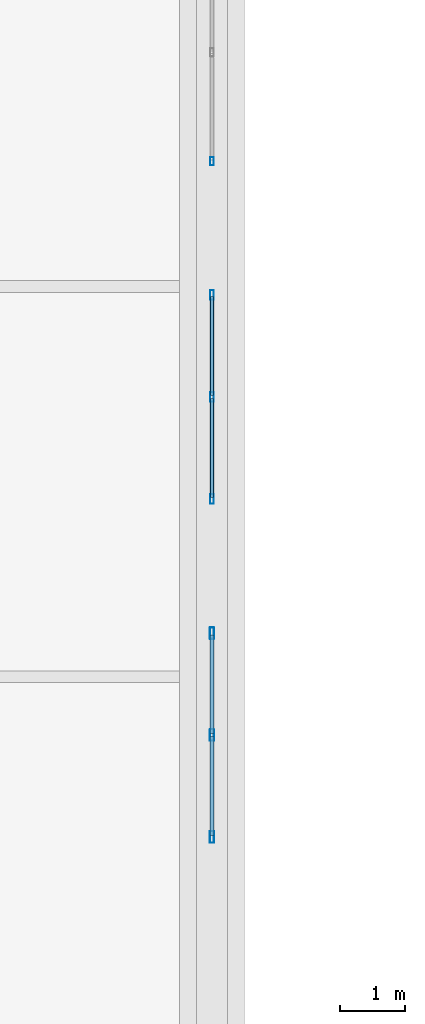
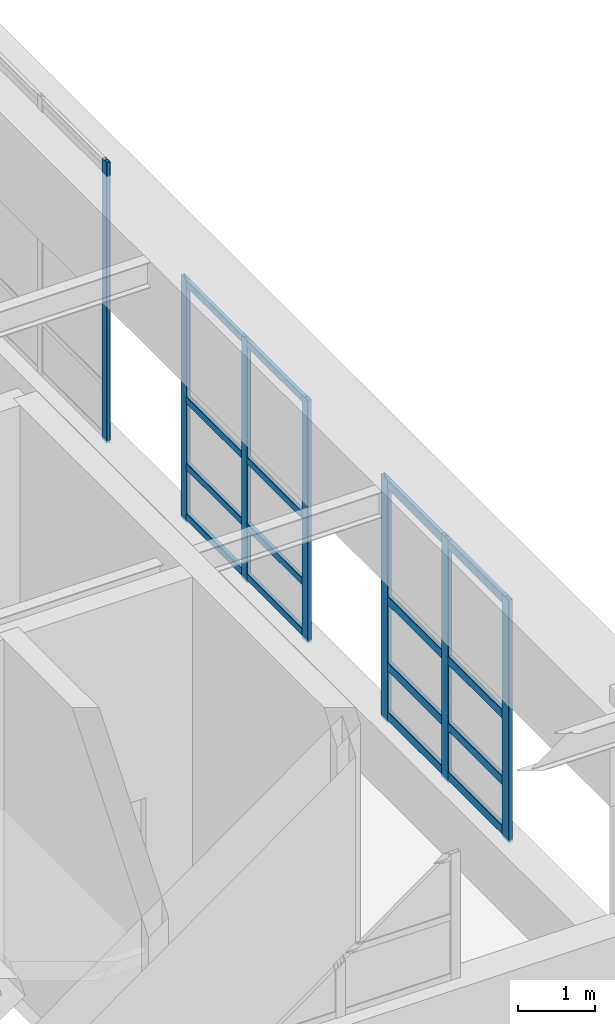
# One storey, part 39 of 197: 23 members, 3 elements without a shape of their own.
"""IFC4 building model written with IfcOpenShell, lengths in metres."""

from ifc_helpers import new_model, si_unit, derived_unit, direction, frame, origin, origin_2d, place, context, subcontext, project, spatial, hollow_rectangle, extrude, material, layer, layer_set, material_profile, profile_set, type_object, element, aggregate, save


model = new_model("IFC4")

# Units and contexts
model_context = context("Model", 3, precision=1e-05, world=origin(), true_north=direction((0.0, 1.0)))
body_context = subcontext(model_context, "Body", "Model", "MODEL_VIEW")
ifc_project = project(units=[si_unit("LENGTHUNIT", "METRE"), si_unit("AREAUNIT", "SQUARE_METRE"), si_unit("VOLUMEUNIT", "CUBIC_METRE"), si_unit("PLANEANGLEUNIT", "RADIAN"), si_unit("MASSUNIT", "GRAM", prefix="KILO"), derived_unit("THERMALTRANSMITTANCEUNIT", [(si_unit("POWERUNIT", "WATT"), 1), (si_unit("LENGTHUNIT", "METRE"), -2), (si_unit("THERMODYNAMICTEMPERATUREUNIT", "KELVIN"), -1)])], contexts=[model_context])

# Site, building, storey
site_placement = place(None, origin())
site = spatial("IfcSite", under=ifc_project, at=site_placement, CompositionType="ELEMENT")
building_placement = place(site_placement, origin())
building = spatial("IfcBuilding", under=site, at=building_placement, Name="Almenara Railside Exhibition Hall", CompositionType="ELEMENT")
storey_placement = place(building_placement, frame((0.0, 0.0, 5.39990234375)))
storey = spatial("IfcBuildingStorey", under=building, at=storey_placement, Name="L01", CompositionType="ELEMENT", Elevation=5.39990234375)

# Curtain wall, member
ifc_material_1 = material(Name="Bronze-anodised aluminium and low-E double glazing", Category="aluminium")
ifc_layer_1 = layer(ifc_material_1, 0.179931640625, Name="Bronze-anodised aluminium and low-E double glazing")
ifc_layer_set_1 = layer_set([ifc_layer_1], Name="Bronze-anodised aluminium and low-E double glazing")
curtain_wall_type_1 = type_object("IfcCurtainWallType", Name="Scroll Gable Mid Curtain Wall 3400x4400", PredefinedType="NOTDEFINED", material=ifc_layer_set_1)
curtain_wall_1_placement = place(storey_placement, origin())
curtain_wall_1 = element("IfcCurtainWall", 1, at=curtain_wall_1_placement, inside=storey, type_object=curtain_wall_type_1, Name="Curtain wall CW-G3-115", PredefinedType="NOTDEFINED")
ifc_material_2 = material(Name="Bronze-anodised aluminium", Category="aluminium")
ifc_material_profile_1 = material_profile(ifc_material_2, hollow_rectangle(XDim=0.054931640625, YDim=0.125, WallThickness=0.0029296875, InnerFilletRadius=0.0029296875, OuterFilletRadius=0.006103515625, at=origin_2d()), Name="ALU-MUL 55x125x3")
ifc_profile_set_1 = profile_set([ifc_material_profile_1], Name="Bronze-anodised aluminium")
member_type_1 = type_object("IfcMemberType", Name="Curtain Wall Mullion 55x125x3", PredefinedType="MULLION", material=ifc_profile_set_1)
member_1_placement = place(storey_placement, frame((66.0, 13.927490234375, 0.9150390625), z_axis=(0.0, 0.0, 1.0), x_axis=(-1.0, 0.0, 0.0)))
member_1 = element("IfcMember", 2, at=member_1_placement, type_object=member_type_1, Name="CW-G3-115 mullion 1", PredefinedType="MULLION", context=body_context, shape_type="SweptSolid", body=[
    extrude(hollow_rectangle(XDim=0.054931640625, YDim=0.125, WallThickness=0.0029296875, InnerFilletRadius=0.0029296875, OuterFilletRadius=0.006103515625, at=origin_2d()), origin(), (0.0, 0.0, 1.0), 4.43505859375),
])
aggregate(curtain_wall_1, [member_1])

# Curtain wall, members
ifc_layer_2 = layer(ifc_material_1, 0.179931640625, Name="Bronze-anodised aluminium and low-E double glazing")
ifc_layer_set_2 = layer_set([ifc_layer_2], Name="Bronze-anodised aluminium and low-E double glazing")
curtain_wall_type_2 = type_object("IfcCurtainWallType", Name="Scroll Gable Side Curtain Wall 3200x3800", PredefinedType="NOTDEFINED", material=ifc_layer_set_2)
curtain_wall_2_placement = place(storey_placement, origin())
curtain_wall_2 = element("IfcCurtainWall", 3, at=curtain_wall_2_placement, inside=storey, type_object=curtain_wall_type_2, Name="Curtain wall CW-G4-114", PredefinedType="NOTDEFINED")
ifc_material_profile_2 = material_profile(ifc_material_2, hollow_rectangle(XDim=0.06005859375, YDim=0.14990234375, WallThickness=0.00341796875, InnerFilletRadius=0.00341796875, OuterFilletRadius=0.007080078125, at=origin_2d()), Name="ALU-MUL 60x150x3.5")
ifc_profile_set_2 = profile_set([ifc_material_profile_2], Name="Bronze-anodised aluminium")
member_type_2 = type_object("IfcMemberType", Name="Curtain Wall Mullion 60x150x3.5", PredefinedType="MULLION", material=ifc_profile_set_2)
member_2_placement = place(storey_placement, frame((66.0, 8.72998046875, 0.9150390625), z_axis=(0.0, 0.0, 1.0), x_axis=(-1.0, 0.0, 0.0)))
member_2 = element("IfcMember", 4, at=member_2_placement, type_object=member_type_2, Name="CW-G4-114 mullion 1", PredefinedType="MULLION", context=body_context, shape_type="SweptSolid", body=[
    extrude(hollow_rectangle(XDim=0.06005859375, YDim=0.14990234375, WallThickness=0.00341796875, InnerFilletRadius=0.00341796875, OuterFilletRadius=0.007080078125, at=origin_2d()), origin(), (0.0, 0.0, 1.0), 3.8349609375),
])
member_3_placement = place(storey_placement, frame((66.0, 10.300048828125, 0.9150390625), z_axis=(0.0, 0.0, 1.0), x_axis=(-1.0, 0.0, 0.0)))
member_3 = element("IfcMember", 5, at=member_3_placement, type_object=member_type_2, Name="CW-G4-114 mullion 2", PredefinedType="MULLION", context=body_context, shape_type="SweptSolid", body=[
    extrude(hollow_rectangle(XDim=0.06005859375, YDim=0.14990234375, WallThickness=0.00341796875, InnerFilletRadius=0.00341796875, OuterFilletRadius=0.007080078125, at=origin_2d()), origin(), (0.0, 0.0, 1.0), 3.8349609375),
])
member_4_placement = place(storey_placement, frame((66.0, 11.8701171875, 0.9150390625), z_axis=(0.0, 0.0, 1.0), x_axis=(-1.0, 0.0, 0.0)))
member_4 = element("IfcMember", 6, at=member_4_placement, type_object=member_type_2, Name="CW-G4-114 mullion 3", PredefinedType="MULLION", context=body_context, shape_type="SweptSolid", body=[
    extrude(hollow_rectangle(XDim=0.06005859375, YDim=0.14990234375, WallThickness=0.00341796875, InnerFilletRadius=0.00341796875, OuterFilletRadius=0.007080078125, at=origin_2d()), origin(), (0.0, 0.0, 1.0), 3.8349609375),
])

curtain_wall_3_placement = place(storey_placement, origin())
curtain_wall_3 = element("IfcCurtainWall", 7, at=curtain_wall_3_placement, inside=storey, type_object=curtain_wall_type_2, Name="Curtain wall CW-G4-113", PredefinedType="NOTDEFINED")
ifc_material_profile_3 = material_profile(ifc_material_2, hollow_rectangle(XDim=0.06494140625, YDim=0.179931640625, WallThickness=0.00390625, InnerFilletRadius=0.00390625, OuterFilletRadius=0.008056640625, at=origin_2d()), Name="ALU-MUL 65x180x4")
ifc_profile_set_3 = profile_set([ifc_material_profile_3], Name="Bronze-anodised aluminium")
member_type_3 = type_object("IfcMemberType", Name="Curtain Wall Mullion 65x180x4", PredefinedType="MULLION", material=ifc_profile_set_3)
member_5_placement = place(storey_placement, frame((66.0, 3.532470703125, 0.9150390625), z_axis=(0.0, 0.0, 1.0), x_axis=(-1.0, 0.0, 0.0)))
member_5 = element("IfcMember", 8, at=member_5_placement, type_object=member_type_3, Name="CW-G4-113 mullion 1", PredefinedType="MULLION", context=body_context, shape_type="SweptSolid", body=[
    extrude(hollow_rectangle(XDim=0.06494140625, YDim=0.179931640625, WallThickness=0.00390625, InnerFilletRadius=0.00390625, OuterFilletRadius=0.008056640625, at=origin_2d()), origin(), (0.0, 0.0, 1.0), 3.8349609375),
])
member_6_placement = place(storey_placement, frame((66.0, 5.10009765625, 0.9150390625), z_axis=(0.0, 0.0, 1.0), x_axis=(-1.0, 0.0, 0.0)))
member_6 = element("IfcMember", 9, at=member_6_placement, type_object=member_type_3, Name="CW-G4-113 mullion 2", PredefinedType="MULLION", context=body_context, shape_type="SweptSolid", body=[
    extrude(hollow_rectangle(XDim=0.06494140625, YDim=0.179931640625, WallThickness=0.00390625, InnerFilletRadius=0.00390625, OuterFilletRadius=0.008056640625, at=origin_2d()), origin(), (0.0, 0.0, 1.0), 3.8349609375),
])
member_7_placement = place(storey_placement, frame((66.0, 6.66748046875, 0.9150390625), z_axis=(0.0, 0.0, 1.0), x_axis=(-1.0, 0.0, 0.0)))
member_7 = element("IfcMember", 10, at=member_7_placement, type_object=member_type_3, Name="CW-G4-113 mullion 3", PredefinedType="MULLION", context=body_context, shape_type="SweptSolid", body=[
    extrude(hollow_rectangle(XDim=0.06494140625, YDim=0.179931640625, WallThickness=0.00390625, InnerFilletRadius=0.00390625, OuterFilletRadius=0.008056640625, at=origin_2d()), origin(), (0.0, 0.0, 1.0), 3.8349609375),
])

# Member
ifc_material_profile_4 = material_profile(ifc_material_2, hollow_rectangle(XDim=0.06005859375, YDim=0.110107421875, WallThickness=0.0029296875, InnerFilletRadius=0.0029296875, OuterFilletRadius=0.006103515625, at=origin_2d()), Name="ALU-TRN 60x110x3")
ifc_profile_set_4 = profile_set([ifc_material_profile_4], Name="Bronze-anodised aluminium")
member_type_4 = type_object("IfcMemberType", Name="Curtain Wall Transom 60x110x3", PredefinedType="USERDEFINED", material=ifc_profile_set_4)
member_8_placement = place(storey_placement, frame((66.0, 8.751953125, 1.005126953125), z_axis=(0.0, 1.0, 0.0), x_axis=(-1.0, 0.0, 0.0)))
member_8 = element("IfcMember", 11, at=member_8_placement, type_object=member_type_4, Name="CW-G4-114 transom 1.1", ObjectType="TRANSOM", PredefinedType="USERDEFINED", context=body_context, shape_type="SweptSolid", body=[
    extrude(hollow_rectangle(XDim=0.06005859375, YDim=0.110107421875, WallThickness=0.0029296875, InnerFilletRadius=0.0029296875, OuterFilletRadius=0.006103515625, at=origin_2d()), origin(), (0.0, 0.0, 1.0), 1.526123046875),
])

member_9_placement = place(storey_placement, frame((66.0, 8.751953125, 1.800048828125), z_axis=(0.0, 1.0, 0.0), x_axis=(-1.0, 0.0, 0.0)))
member_9 = element("IfcMember", 12, at=member_9_placement, type_object=member_type_4, Name="CW-G4-114 transom 1.2", ObjectType="TRANSOM", PredefinedType="USERDEFINED", context=body_context, shape_type="SweptSolid", body=[
    extrude(hollow_rectangle(XDim=0.06005859375, YDim=0.110107421875, WallThickness=0.0029296875, InnerFilletRadius=0.0029296875, OuterFilletRadius=0.006103515625, at=origin_2d()), origin(), (0.0, 0.0, 1.0), 1.526123046875),
])

member_10_placement = place(storey_placement, frame((66.0, 8.751953125, 2.85009765625), z_axis=(0.0, 1.0, 0.0), x_axis=(-1.0, 0.0, 0.0)))
member_10 = element("IfcMember", 13, at=member_10_placement, type_object=member_type_4, Name="CW-G4-114 transom 1.3", ObjectType="TRANSOM", PredefinedType="USERDEFINED", context=body_context, shape_type="SweptSolid", body=[
    extrude(hollow_rectangle(XDim=0.06005859375, YDim=0.110107421875, WallThickness=0.0029296875, InnerFilletRadius=0.0029296875, OuterFilletRadius=0.006103515625, at=origin_2d()), origin(), (0.0, 0.0, 1.0), 1.526123046875),
])

member_11_placement = place(storey_placement, frame((66.0, 8.751953125, 4.695068359375), z_axis=(0.0, 1.0, 0.0), x_axis=(-1.0, 0.0, 0.0)))
member_11 = element("IfcMember", 14, at=member_11_placement, type_object=member_type_4, Name="CW-G4-114 transom 1.4", ObjectType="TRANSOM", PredefinedType="USERDEFINED", context=body_context, shape_type="SweptSolid", body=[
    extrude(hollow_rectangle(XDim=0.06005859375, YDim=0.110107421875, WallThickness=0.0029296875, InnerFilletRadius=0.0029296875, OuterFilletRadius=0.006103515625, at=origin_2d()), origin(), (0.0, 0.0, 1.0), 1.526123046875),
])

member_12_placement = place(storey_placement, frame((66.0, 10.322021484375, 1.005126953125), z_axis=(0.0, 1.0, 0.0), x_axis=(-1.0, 0.0, 0.0)))
member_12 = element("IfcMember", 15, at=member_12_placement, type_object=member_type_4, Name="CW-G4-114 transom 2.1", ObjectType="TRANSOM", PredefinedType="USERDEFINED", context=body_context, shape_type="SweptSolid", body=[
    extrude(hollow_rectangle(XDim=0.06005859375, YDim=0.110107421875, WallThickness=0.0029296875, InnerFilletRadius=0.0029296875, OuterFilletRadius=0.006103515625, at=origin_2d()), origin(), (0.0, 0.0, 1.0), 1.52587890625),
])

member_13_placement = place(storey_placement, frame((66.0, 10.322021484375, 1.800048828125), z_axis=(0.0, 1.0, 0.0), x_axis=(-1.0, 0.0, 0.0)))
member_13 = element("IfcMember", 16, at=member_13_placement, type_object=member_type_4, Name="CW-G4-114 transom 2.2", ObjectType="TRANSOM", PredefinedType="USERDEFINED", context=body_context, shape_type="SweptSolid", body=[
    extrude(hollow_rectangle(XDim=0.06005859375, YDim=0.110107421875, WallThickness=0.0029296875, InnerFilletRadius=0.0029296875, OuterFilletRadius=0.006103515625, at=origin_2d()), origin(), (0.0, 0.0, 1.0), 1.52587890625),
])

member_14_placement = place(storey_placement, frame((66.0, 10.322021484375, 2.85009765625), z_axis=(0.0, 1.0, 0.0), x_axis=(-1.0, 0.0, 0.0)))
member_14 = element("IfcMember", 17, at=member_14_placement, type_object=member_type_4, Name="CW-G4-114 transom 2.3", ObjectType="TRANSOM", PredefinedType="USERDEFINED", context=body_context, shape_type="SweptSolid", body=[
    extrude(hollow_rectangle(XDim=0.06005859375, YDim=0.110107421875, WallThickness=0.0029296875, InnerFilletRadius=0.0029296875, OuterFilletRadius=0.006103515625, at=origin_2d()), origin(), (0.0, 0.0, 1.0), 1.52587890625),
])

member_15_placement = place(storey_placement, frame((66.0, 10.322021484375, 4.695068359375), z_axis=(0.0, 1.0, 0.0), x_axis=(-1.0, 0.0, 0.0)))
member_15 = element("IfcMember", 18, at=member_15_placement, type_object=member_type_4, Name="CW-G4-114 transom 2.4", ObjectType="TRANSOM", PredefinedType="USERDEFINED", context=body_context, shape_type="SweptSolid", body=[
    extrude(hollow_rectangle(XDim=0.06005859375, YDim=0.110107421875, WallThickness=0.0029296875, InnerFilletRadius=0.0029296875, OuterFilletRadius=0.006103515625, at=origin_2d()), origin(), (0.0, 0.0, 1.0), 1.52587890625),
])

aggregate(curtain_wall_2, [member_2, member_3, member_4, member_8, member_9, member_10, member_11, member_12, member_13, member_14, member_15])

ifc_material_profile_5 = material_profile(ifc_material_2, hollow_rectangle(XDim=0.06494140625, YDim=0.139892578125, WallThickness=0.00341796875, InnerFilletRadius=0.00341796875, OuterFilletRadius=0.007080078125, at=origin_2d()), Name="ALU-TRN 65x140x3.5")
ifc_profile_set_5 = profile_set([ifc_material_profile_5], Name="Bronze-anodised aluminium")
member_type_5 = type_object("IfcMemberType", Name="Curtain Wall Transom 65x140x3.5", PredefinedType="USERDEFINED", material=ifc_profile_set_5)
member_16_placement = place(storey_placement, frame((66.0, 3.556884765625, 1.02001953125), z_axis=(0.0, 1.0, 0.0), x_axis=(-1.0, 0.0, 0.0)))
member_16 = element("IfcMember", 19, at=member_16_placement, type_object=member_type_5, Name="CW-G4-113 transom 1.1", ObjectType="TRANSOM", PredefinedType="USERDEFINED", context=body_context, shape_type="SweptSolid", body=[
    extrude(hollow_rectangle(XDim=0.06494140625, YDim=0.139892578125, WallThickness=0.00341796875, InnerFilletRadius=0.00341796875, OuterFilletRadius=0.007080078125, at=origin_2d()), origin(), (0.0, 0.0, 1.0), 1.5185546875),
])

member_17_placement = place(storey_placement, frame((66.0, 3.556884765625, 1.800048828125), z_axis=(0.0, 1.0, 0.0), x_axis=(-1.0, 0.0, 0.0)))
member_17 = element("IfcMember", 20, at=member_17_placement, type_object=member_type_5, Name="CW-G4-113 transom 1.2", ObjectType="TRANSOM", PredefinedType="USERDEFINED", context=body_context, shape_type="SweptSolid", body=[
    extrude(hollow_rectangle(XDim=0.06494140625, YDim=0.139892578125, WallThickness=0.00341796875, InnerFilletRadius=0.00341796875, OuterFilletRadius=0.007080078125, at=origin_2d()), origin(), (0.0, 0.0, 1.0), 1.5185546875),
])

member_18_placement = place(storey_placement, frame((66.0, 3.556884765625, 2.85009765625), z_axis=(0.0, 1.0, 0.0), x_axis=(-1.0, 0.0, 0.0)))
member_18 = element("IfcMember", 21, at=member_18_placement, type_object=member_type_5, Name="CW-G4-113 transom 1.3", ObjectType="TRANSOM", PredefinedType="USERDEFINED", context=body_context, shape_type="SweptSolid", body=[
    extrude(hollow_rectangle(XDim=0.06494140625, YDim=0.139892578125, WallThickness=0.00341796875, InnerFilletRadius=0.00341796875, OuterFilletRadius=0.007080078125, at=origin_2d()), origin(), (0.0, 0.0, 1.0), 1.5185546875),
])

member_19_placement = place(storey_placement, frame((66.0, 3.556884765625, 4.68017578125), z_axis=(0.0, 1.0, 0.0), x_axis=(-1.0, 0.0, 0.0)))
member_19 = element("IfcMember", 22, at=member_19_placement, type_object=member_type_5, Name="CW-G4-113 transom 1.4", ObjectType="TRANSOM", PredefinedType="USERDEFINED", context=body_context, shape_type="SweptSolid", body=[
    extrude(hollow_rectangle(XDim=0.06494140625, YDim=0.139892578125, WallThickness=0.00341796875, InnerFilletRadius=0.00341796875, OuterFilletRadius=0.007080078125, at=origin_2d()), origin(), (0.0, 0.0, 1.0), 1.5185546875),
])

member_20_placement = place(storey_placement, frame((66.0, 5.12451171875, 1.02001953125), z_axis=(0.0, 1.0, 0.0), x_axis=(-1.0, 0.0, 0.0)))
member_20 = element("IfcMember", 23, at=member_20_placement, type_object=member_type_5, Name="CW-G4-113 transom 2.1", ObjectType="TRANSOM", PredefinedType="USERDEFINED", context=body_context, shape_type="SweptSolid", body=[
    extrude(hollow_rectangle(XDim=0.06494140625, YDim=0.139892578125, WallThickness=0.00341796875, InnerFilletRadius=0.00341796875, OuterFilletRadius=0.007080078125, at=origin_2d()), origin(), (0.0, 0.0, 1.0), 1.5185546875),
])

member_21_placement = place(storey_placement, frame((66.0, 5.12451171875, 1.800048828125), z_axis=(0.0, 1.0, 0.0), x_axis=(-1.0, 0.0, 0.0)))
member_21 = element("IfcMember", 24, at=member_21_placement, type_object=member_type_5, Name="CW-G4-113 transom 2.2", ObjectType="TRANSOM", PredefinedType="USERDEFINED", context=body_context, shape_type="SweptSolid", body=[
    extrude(hollow_rectangle(XDim=0.06494140625, YDim=0.139892578125, WallThickness=0.00341796875, InnerFilletRadius=0.00341796875, OuterFilletRadius=0.007080078125, at=origin_2d()), origin(), (0.0, 0.0, 1.0), 1.5185546875),
])

member_22_placement = place(storey_placement, frame((66.0, 5.12451171875, 2.85009765625), z_axis=(0.0, 1.0, 0.0), x_axis=(-1.0, 0.0, 0.0)))
member_22 = element("IfcMember", 25, at=member_22_placement, type_object=member_type_5, Name="CW-G4-113 transom 2.3", ObjectType="TRANSOM", PredefinedType="USERDEFINED", context=body_context, shape_type="SweptSolid", body=[
    extrude(hollow_rectangle(XDim=0.06494140625, YDim=0.139892578125, WallThickness=0.00341796875, InnerFilletRadius=0.00341796875, OuterFilletRadius=0.007080078125, at=origin_2d()), origin(), (0.0, 0.0, 1.0), 1.5185546875),
])

member_23_placement = place(storey_placement, frame((66.0, 5.12451171875, 4.68017578125), z_axis=(0.0, 1.0, 0.0), x_axis=(-1.0, 0.0, 0.0)))
member_23 = element("IfcMember", 26, at=member_23_placement, type_object=member_type_5, Name="CW-G4-113 transom 2.4", ObjectType="TRANSOM", PredefinedType="USERDEFINED", context=body_context, shape_type="SweptSolid", body=[
    extrude(hollow_rectangle(XDim=0.06494140625, YDim=0.139892578125, WallThickness=0.00341796875, InnerFilletRadius=0.00341796875, OuterFilletRadius=0.007080078125, at=origin_2d()), origin(), (0.0, 0.0, 1.0), 1.5185546875),
])

aggregate(curtain_wall_3, [member_5, member_6, member_7, member_16, member_17, member_18, member_19, member_20, member_21, member_22, member_23])

save(model, "model.ifc")
